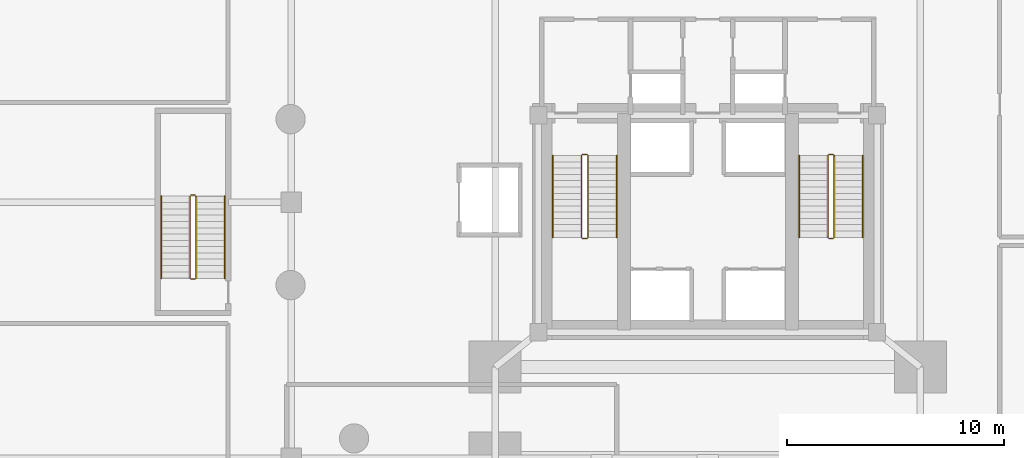
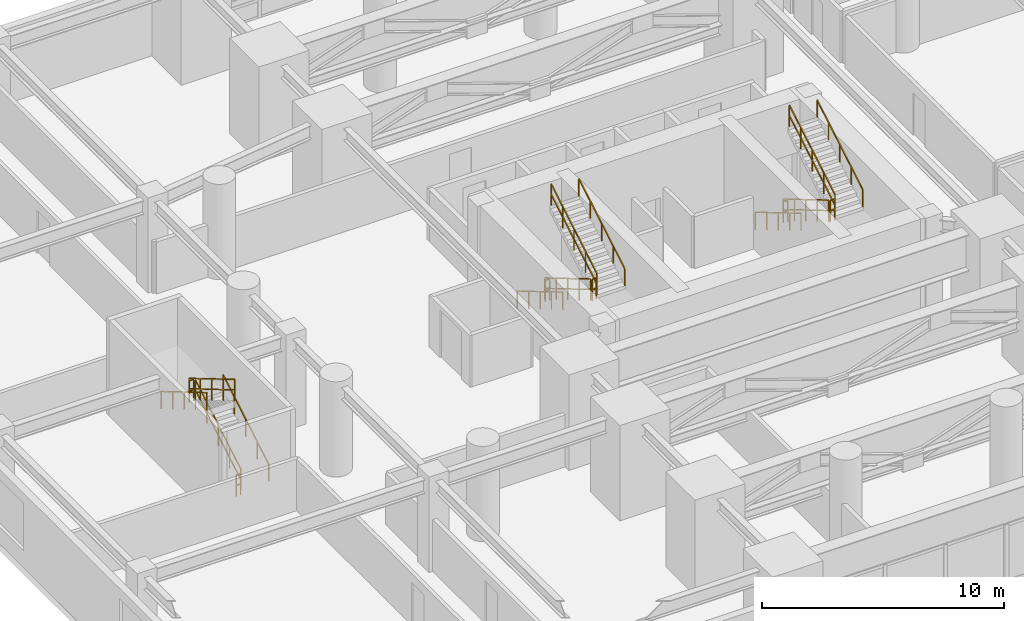
# One storey, part 17 of 17: 18 railings.
"""IFC4 building model written with IfcOpenShell, lengths in metres."""

from ifc_helpers import new_model, si_unit, direction, frame, origin, origin_2d, place, context, subcontext, project, spatial, rectangle, extrude, material, type_object, element, save


model = new_model("IFC4")

# Units and contexts
model_context = context("Model", 3, precision=1e-05, world=origin(), true_north=direction((0.0, 1.0)))
body_context = subcontext(model_context, "Body", "Model", "MODEL_VIEW")
ifc_project = project(units=[si_unit("LENGTHUNIT", "METRE"), si_unit("AREAUNIT", "SQUARE_METRE"), si_unit("VOLUMEUNIT", "CUBIC_METRE"), si_unit("PLANEANGLEUNIT", "RADIAN"), si_unit("MASSUNIT", "GRAM", prefix="KILO"), si_unit("THERMODYNAMICTEMPERATUREUNIT", "KELVIN"), si_unit("POWERUNIT", "WATT")], contexts=[model_context])

# Site, building, storey
site_placement = place(None, origin())
site = spatial("IfcSite", under=ifc_project, at=site_placement, CompositionType="ELEMENT")
building_placement = place(site_placement, origin())
building = spatial("IfcBuilding", under=site, at=building_placement, Name="Ocrelia Relay Tower", CompositionType="ELEMENT")
storey_placement = place(building_placement, frame((0.0, 0.0, 15.60009765625)))
storey = spatial("IfcBuildingStorey", under=building, at=storey_placement, Name="L03", CompositionType="ELEMENT", Elevation=15.60009765625)

# Railings
ifc_material_1 = material(Name="Steel S355 balustrade", Category="steel")
railing_type_1 = type_object("IfcRailingType", Name="RL-STAIR-GUARD", PredefinedType="GUARDRAIL", material=ifc_material_1)
railing_1_placement = place(storey_placement, frame((28.179931640625, 28.14990234375, 0.17138671875)))
element("IfcRailing", 1, at=railing_1_placement, inside=storey, type_object=railing_type_1, Name="L03 ST1 stair guard 1", PredefinedType="GUARDRAIL", context=body_context, shape_type="SweptSolid", body=[
    extrude(rectangle(XDim=0.048095703125, YDim=0.048095703125, at=origin_2d()), frame((0.0, 0.0, 1.076171875), z_axis=(0.0, -0.860848830602, 0.508860777473), x_axis=(1.0, 0.0, 0.0)), (0.0, 0.0, 1.0), 4.37939453125),
    extrude(rectangle(XDim=0.048095703125, YDim=0.048095703125, at=origin_2d()), frame((0.0, 0.0, 0.550048828125), z_axis=(0.0, -0.860848830602, 0.508860777473), x_axis=(1.0, 0.0, 0.0)), (0.0, 0.0, 1.0), 4.37939453125),
    extrude(rectangle(XDim=0.0419921875, YDim=0.0419921875, at=origin_2d()), origin(), (0.0, 0.0, 1.0), 1.052001953125),
    extrude(rectangle(XDim=0.0419921875, YDim=0.0419921875, at=origin_2d()), frame((0.0, -0.9423828125, 0.55712890625)), (0.0, 0.0, 1.0), 1.052001953125),
    extrude(rectangle(XDim=0.0419921875, YDim=0.0419921875, at=origin_2d()), frame((0.0, -1.885009765625, 1.1142578125)), (0.0, 0.0, 1.0), 1.052001953125),
    extrude(rectangle(XDim=0.0419921875, YDim=0.0419921875, at=origin_2d()), frame((0.0, -2.82763671875, 1.67138671875)), (0.0, 0.0, 1.0), 1.052001953125),
    extrude(rectangle(XDim=0.0419921875, YDim=0.0419921875, at=origin_2d()), frame((0.0, -3.77001953125, 2.228515625)), (0.0, 0.0, 1.0), 1.052001953125),
])
railing_2_placement = place(storey_placement, frame((28.22998046875, 24.330078125, 2.39990234375)))
element("IfcRailing", 2, at=railing_2_placement, inside=storey, type_object=railing_type_1, Name="L03 ST1 stair guard 2", PredefinedType="GUARDRAIL", context=body_context, shape_type="SweptSolid", body=[
    extrude(rectangle(XDim=0.048095703125, YDim=0.048095703125, at=origin_2d()), frame((0.0, 0.0, 1.076171875), z_axis=(1.0, 0.0, 0.0), x_axis=(0.0, 1.0, 0.0)), (0.0, 0.0, 1.0), 0.199951171875),
    extrude(rectangle(XDim=0.048095703125, YDim=0.048095703125, at=origin_2d()), frame((0.0, 0.0, 0.550048828125), z_axis=(1.0, 0.0, 0.0), x_axis=(0.0, 1.0, 0.0)), (0.0, 0.0, 1.0), 0.199951171875),
    extrude(rectangle(XDim=0.0419921875, YDim=0.0419921875, at=origin_2d()), origin(), (0.0, 0.0, 1.0), 1.052001953125),
    extrude(rectangle(XDim=0.0419921875, YDim=0.0419921875, at=origin_2d()), frame((0.199951171875, 0.0, 0.0)), (0.0, 0.0, 1.0), 1.052001953125),
])
railing_3_placement = place(storey_placement, frame((28.47998046875, 24.3798828125, 2.5712890625)))
element("IfcRailing", 3, at=railing_3_placement, inside=storey, type_object=railing_type_1, Name="L03 ST1 stair guard 3", PredefinedType="GUARDRAIL", context=body_context, shape_type="SweptSolid", body=[
    extrude(rectangle(XDim=0.048095703125, YDim=0.048095703125, at=origin_2d()), frame((0.0, 0.0, 1.076171875), z_axis=(0.0, 0.860848830602, 0.508860777473), x_axis=(-1.0, 0.0, 0.0)), (0.0, 0.0, 1.0), 4.37939453125),
    extrude(rectangle(XDim=0.048095703125, YDim=0.048095703125, at=origin_2d()), frame((0.0, 0.0, 0.550048828125), z_axis=(0.0, 0.860848830602, 0.508860777473), x_axis=(-1.0, 0.0, 0.0)), (0.0, 0.0, 1.0), 4.37939453125),
    extrude(rectangle(XDim=0.0419921875, YDim=0.0419921875, at=origin_2d()), origin(), (0.0, 0.0, 1.0), 1.052001953125),
    extrude(rectangle(XDim=0.0419921875, YDim=0.0419921875, at=origin_2d()), frame((0.0, 0.9423828125, 0.55712890625)), (0.0, 0.0, 1.0), 1.052001953125),
    extrude(rectangle(XDim=0.0419921875, YDim=0.0419921875, at=origin_2d()), frame((0.0, 1.885009765625, 1.1142578125)), (0.0, 0.0, 1.0), 1.052001953125),
    extrude(rectangle(XDim=0.0419921875, YDim=0.0419921875, at=origin_2d()), frame((0.0, 2.82763671875, 1.67138671875)), (0.0, 0.0, 1.0), 1.052001953125),
    extrude(rectangle(XDim=0.0419921875, YDim=0.0419921875, at=origin_2d()), frame((0.0, 3.77001953125, 2.228515625)), (0.0, 0.0, 1.0), 1.052001953125),
])
railing_4_placement = place(storey_placement, frame((28.22998046875, 28.199951171875, 0.0)))
element("IfcRailing", 4, at=railing_4_placement, inside=storey, type_object=railing_type_1, Name="L03 ST1 stair guard 4", PredefinedType="GUARDRAIL", context=body_context, shape_type="SweptSolid", body=[
    extrude(rectangle(XDim=0.048095703125, YDim=0.048095703125, at=origin_2d()), frame((0.0, 0.0, 1.076171875), z_axis=(1.0, 0.0, 0.0), x_axis=(0.0, 1.0, 0.0)), (0.0, 0.0, 1.0), 0.199951171875),
    extrude(rectangle(XDim=0.048095703125, YDim=0.048095703125, at=origin_2d()), frame((0.0, 0.0, 0.550048828125), z_axis=(1.0, 0.0, 0.0), x_axis=(0.0, 1.0, 0.0)), (0.0, 0.0, 1.0), 0.199951171875),
    extrude(rectangle(XDim=0.0419921875, YDim=0.0419921875, at=origin_2d()), origin(), (0.0, 0.0, 1.0), 1.052001953125),
    extrude(rectangle(XDim=0.0419921875, YDim=0.0419921875, at=origin_2d()), frame((0.199951171875, 0.0, 0.0)), (0.0, 0.0, 1.0), 1.052001953125),
])
railing_5_placement = place(storey_placement, frame((39.530029296875, 28.14990234375, 0.17138671875)))
element("IfcRailing", 5, at=railing_5_placement, inside=storey, type_object=railing_type_1, Name="L03 ST2 stair guard 1", PredefinedType="GUARDRAIL", context=body_context, shape_type="SweptSolid", body=[
    extrude(rectangle(XDim=0.048095703125, YDim=0.048095703125, at=origin_2d()), frame((0.0, 0.0, 1.076171875), z_axis=(0.0, -0.860848830602, 0.508860777473), x_axis=(1.0, 0.0, 0.0)), (0.0, 0.0, 1.0), 4.37939453125),
    extrude(rectangle(XDim=0.048095703125, YDim=0.048095703125, at=origin_2d()), frame((0.0, 0.0, 0.550048828125), z_axis=(0.0, -0.860848830602, 0.508860777473), x_axis=(1.0, 0.0, 0.0)), (0.0, 0.0, 1.0), 4.37939453125),
    extrude(rectangle(XDim=0.0419921875, YDim=0.0419921875, at=origin_2d()), origin(), (0.0, 0.0, 1.0), 1.052001953125),
    extrude(rectangle(XDim=0.0419921875, YDim=0.0419921875, at=origin_2d()), frame((0.0, -0.9423828125, 0.55712890625)), (0.0, 0.0, 1.0), 1.052001953125),
    extrude(rectangle(XDim=0.0419921875, YDim=0.0419921875, at=origin_2d()), frame((0.0, -1.885009765625, 1.1142578125)), (0.0, 0.0, 1.0), 1.052001953125),
    extrude(rectangle(XDim=0.0419921875, YDim=0.0419921875, at=origin_2d()), frame((0.0, -2.82763671875, 1.67138671875)), (0.0, 0.0, 1.0), 1.052001953125),
    extrude(rectangle(XDim=0.0419921875, YDim=0.0419921875, at=origin_2d()), frame((0.0, -3.77001953125, 2.228515625)), (0.0, 0.0, 1.0), 1.052001953125),
])
railing_6_placement = place(storey_placement, frame((39.580078125, 24.330078125, 2.39990234375)))
element("IfcRailing", 6, at=railing_6_placement, inside=storey, type_object=railing_type_1, Name="L03 ST2 stair guard 2", PredefinedType="GUARDRAIL", context=body_context, shape_type="SweptSolid", body=[
    extrude(rectangle(XDim=0.048095703125, YDim=0.048095703125, at=origin_2d()), frame((0.0, 0.0, 1.076171875), z_axis=(1.0, 0.0, 0.0), x_axis=(0.0, 1.0, 0.0)), (0.0, 0.0, 1.0), 0.199951171875),
    extrude(rectangle(XDim=0.048095703125, YDim=0.048095703125, at=origin_2d()), frame((0.0, 0.0, 0.550048828125), z_axis=(1.0, 0.0, 0.0), x_axis=(0.0, 1.0, 0.0)), (0.0, 0.0, 1.0), 0.199951171875),
    extrude(rectangle(XDim=0.0419921875, YDim=0.0419921875, at=origin_2d()), origin(), (0.0, 0.0, 1.0), 1.052001953125),
    extrude(rectangle(XDim=0.0419921875, YDim=0.0419921875, at=origin_2d()), frame((0.199951171875, 0.0, 0.0)), (0.0, 0.0, 1.0), 1.052001953125),
])
railing_7_placement = place(storey_placement, frame((39.830078125, 24.3798828125, 2.5712890625)))
element("IfcRailing", 7, at=railing_7_placement, inside=storey, type_object=railing_type_1, Name="L03 ST2 stair guard 3", PredefinedType="GUARDRAIL", context=body_context, shape_type="SweptSolid", body=[
    extrude(rectangle(XDim=0.048095703125, YDim=0.048095703125, at=origin_2d()), frame((0.0, 0.0, 1.076171875), z_axis=(0.0, 0.860848830602, 0.508860777473), x_axis=(-1.0, 0.0, 0.0)), (0.0, 0.0, 1.0), 4.37939453125),
    extrude(rectangle(XDim=0.048095703125, YDim=0.048095703125, at=origin_2d()), frame((0.0, 0.0, 0.550048828125), z_axis=(0.0, 0.860848830602, 0.508860777473), x_axis=(-1.0, 0.0, 0.0)), (0.0, 0.0, 1.0), 4.37939453125),
    extrude(rectangle(XDim=0.0419921875, YDim=0.0419921875, at=origin_2d()), origin(), (0.0, 0.0, 1.0), 1.052001953125),
    extrude(rectangle(XDim=0.0419921875, YDim=0.0419921875, at=origin_2d()), frame((0.0, 0.9423828125, 0.55712890625)), (0.0, 0.0, 1.0), 1.052001953125),
    extrude(rectangle(XDim=0.0419921875, YDim=0.0419921875, at=origin_2d()), frame((0.0, 1.885009765625, 1.1142578125)), (0.0, 0.0, 1.0), 1.052001953125),
    extrude(rectangle(XDim=0.0419921875, YDim=0.0419921875, at=origin_2d()), frame((0.0, 2.82763671875, 1.67138671875)), (0.0, 0.0, 1.0), 1.052001953125),
    extrude(rectangle(XDim=0.0419921875, YDim=0.0419921875, at=origin_2d()), frame((0.0, 3.77001953125, 2.228515625)), (0.0, 0.0, 1.0), 1.052001953125),
])
railing_8_placement = place(storey_placement, frame((39.580078125, 28.199951171875, 0.0)))
element("IfcRailing", 8, at=railing_8_placement, inside=storey, type_object=railing_type_1, Name="L03 ST2 stair guard 4", PredefinedType="GUARDRAIL", context=body_context, shape_type="SweptSolid", body=[
    extrude(rectangle(XDim=0.048095703125, YDim=0.048095703125, at=origin_2d()), frame((0.0, 0.0, 1.076171875), z_axis=(1.0, 0.0, 0.0), x_axis=(0.0, 1.0, 0.0)), (0.0, 0.0, 1.0), 0.199951171875),
    extrude(rectangle(XDim=0.048095703125, YDim=0.048095703125, at=origin_2d()), frame((0.0, 0.0, 0.550048828125), z_axis=(1.0, 0.0, 0.0), x_axis=(0.0, 1.0, 0.0)), (0.0, 0.0, 1.0), 0.199951171875),
    extrude(rectangle(XDim=0.0419921875, YDim=0.0419921875, at=origin_2d()), origin(), (0.0, 0.0, 1.0), 1.052001953125),
    extrude(rectangle(XDim=0.0419921875, YDim=0.0419921875, at=origin_2d()), frame((0.199951171875, 0.0, 0.0)), (0.0, 0.0, 1.0), 1.052001953125),
])
railing_9_placement = place(storey_placement, frame((10.429931640625, 22.5, 0.17138671875)))
element("IfcRailing", 9, at=railing_9_placement, inside=storey, type_object=railing_type_1, Name="L03 ST3 stair guard 1", PredefinedType="GUARDRAIL", context=body_context, shape_type="SweptSolid", body=[
    extrude(rectangle(XDim=0.048095703125, YDim=0.048095703125, at=origin_2d()), frame((0.0, 0.0, 1.076171875), z_axis=(0.0, 0.860848830602, 0.508860777473), x_axis=(-1.0, 0.0, 0.0)), (0.0, 0.0, 1.0), 4.37939453125),
    extrude(rectangle(XDim=0.048095703125, YDim=0.048095703125, at=origin_2d()), frame((0.0, 0.0, 0.550048828125), z_axis=(0.0, 0.860848830602, 0.508860777473), x_axis=(-1.0, 0.0, 0.0)), (0.0, 0.0, 1.0), 4.37939453125),
    extrude(rectangle(XDim=0.0419921875, YDim=0.0419921875, at=origin_2d()), origin(), (0.0, 0.0, 1.0), 1.052001953125),
    extrude(rectangle(XDim=0.0419921875, YDim=0.0419921875, at=origin_2d()), frame((0.0, 0.9423828125, 0.55712890625)), (0.0, 0.0, 1.0), 1.052001953125),
    extrude(rectangle(XDim=0.0419921875, YDim=0.0419921875, at=origin_2d()), frame((0.0, 1.885009765625, 1.1142578125)), (0.0, 0.0, 1.0), 1.052001953125),
    extrude(rectangle(XDim=0.0419921875, YDim=0.0419921875, at=origin_2d()), frame((0.0, 2.82763671875, 1.67138671875)), (0.0, 0.0, 1.0), 1.052001953125),
    extrude(rectangle(XDim=0.0419921875, YDim=0.0419921875, at=origin_2d()), frame((0.0, 3.77001953125, 2.228515625)), (0.0, 0.0, 1.0), 1.052001953125),
])
railing_10_placement = place(storey_placement, frame((10.3798828125, 26.320068359375, 2.39990234375)))
element("IfcRailing", 10, at=railing_10_placement, inside=storey, type_object=railing_type_1, Name="L03 ST3 stair guard 2", PredefinedType="GUARDRAIL", context=body_context, shape_type="SweptSolid", body=[
    extrude(rectangle(XDim=0.048095703125, YDim=0.048095703125, at=origin_2d()), frame((0.0, 0.0, 1.076171875), z_axis=(-1.0, 0.0, 0.0), x_axis=(0.0, -1.0, 0.0)), (0.0, 0.0, 1.0), 0.199951171875),
    extrude(rectangle(XDim=0.048095703125, YDim=0.048095703125, at=origin_2d()), frame((0.0, 0.0, 0.550048828125), z_axis=(-1.0, 0.0, 0.0), x_axis=(0.0, -1.0, 0.0)), (0.0, 0.0, 1.0), 0.199951171875),
    extrude(rectangle(XDim=0.0419921875, YDim=0.0419921875, at=origin_2d()), origin(), (0.0, 0.0, 1.0), 1.052001953125),
    extrude(rectangle(XDim=0.0419921875, YDim=0.0419921875, at=origin_2d()), frame((-0.199951171875, 0.0, 0.0)), (0.0, 0.0, 1.0), 1.052001953125),
])
railing_11_placement = place(storey_placement, frame((10.1298828125, 26.27001953125, 2.5712890625)))
element("IfcRailing", 11, at=railing_11_placement, inside=storey, type_object=railing_type_1, Name="L03 ST3 stair guard 3", PredefinedType="GUARDRAIL", context=body_context, shape_type="SweptSolid", body=[
    extrude(rectangle(XDim=0.048095703125, YDim=0.048095703125, at=origin_2d()), frame((0.0, 0.0, 1.076171875), z_axis=(0.0, -0.860848830602, 0.508860777473), x_axis=(1.0, 0.0, 0.0)), (0.0, 0.0, 1.0), 4.37939453125),
    extrude(rectangle(XDim=0.048095703125, YDim=0.048095703125, at=origin_2d()), frame((0.0, 0.0, 0.550048828125), z_axis=(0.0, -0.860848830602, 0.508860777473), x_axis=(1.0, 0.0, 0.0)), (0.0, 0.0, 1.0), 4.37939453125),
    extrude(rectangle(XDim=0.0419921875, YDim=0.0419921875, at=origin_2d()), origin(), (0.0, 0.0, 1.0), 1.052001953125),
    extrude(rectangle(XDim=0.0419921875, YDim=0.0419921875, at=origin_2d()), frame((0.0, -0.9423828125, 0.55712890625)), (0.0, 0.0, 1.0), 1.052001953125),
    extrude(rectangle(XDim=0.0419921875, YDim=0.0419921875, at=origin_2d()), frame((0.0, -1.885009765625, 1.1142578125)), (0.0, 0.0, 1.0), 1.052001953125),
    extrude(rectangle(XDim=0.0419921875, YDim=0.0419921875, at=origin_2d()), frame((0.0, -2.82763671875, 1.67138671875)), (0.0, 0.0, 1.0), 1.052001953125),
    extrude(rectangle(XDim=0.0419921875, YDim=0.0419921875, at=origin_2d()), frame((0.0, -3.77001953125, 2.228515625)), (0.0, 0.0, 1.0), 1.052001953125),
])
railing_12_placement = place(storey_placement, frame((10.3798828125, 22.449951171875, 0.0)))
element("IfcRailing", 12, at=railing_12_placement, inside=storey, type_object=railing_type_1, Name="L03 ST3 stair guard 4", PredefinedType="GUARDRAIL", context=body_context, shape_type="SweptSolid", body=[
    extrude(rectangle(XDim=0.048095703125, YDim=0.048095703125, at=origin_2d()), frame((0.0, 0.0, 1.076171875), z_axis=(-1.0, 0.0, 0.0), x_axis=(0.0, -1.0, 0.0)), (0.0, 0.0, 1.0), 0.199951171875),
    extrude(rectangle(XDim=0.048095703125, YDim=0.048095703125, at=origin_2d()), frame((0.0, 0.0, 0.550048828125), z_axis=(-1.0, 0.0, 0.0), x_axis=(0.0, -1.0, 0.0)), (0.0, 0.0, 1.0), 0.199951171875),
    extrude(rectangle(XDim=0.0419921875, YDim=0.0419921875, at=origin_2d()), origin(), (0.0, 0.0, 1.0), 1.052001953125),
    extrude(rectangle(XDim=0.0419921875, YDim=0.0419921875, at=origin_2d()), frame((-0.199951171875, 0.0, 0.0)), (0.0, 0.0, 1.0), 1.052001953125),
])
ifc_material_2 = material(Name="Steel S355 tubular handrail", Category="steel")
railing_type_2 = type_object("IfcRailingType", Name="RL-STAIR-HAND", PredefinedType="HANDRAIL", material=ifc_material_2)
railing_13_placement = place(storey_placement, frame((26.860107421875, 28.14990234375, 0.17138671875)))
element("IfcRailing", 13, at=railing_13_placement, inside=storey, type_object=railing_type_2, Name="L03 ST1 stair handrail 1", PredefinedType="HANDRAIL", context=body_context, shape_type="SweptSolid", body=[
    extrude(rectangle(XDim=0.048095703125, YDim=0.048095703125, at=origin_2d()), frame((0.0, 0.0, 0.8759765625), z_axis=(0.0, -0.860848830602, 0.508860777473), x_axis=(1.0, 0.0, 0.0)), (0.0, 0.0, 1.0), 4.37939453125),
    extrude(rectangle(XDim=0.0419921875, YDim=0.0419921875, at=origin_2d()), origin(), (0.0, 0.0, 1.0), 0.851806640625),
    extrude(rectangle(XDim=0.0419921875, YDim=0.0419921875, at=origin_2d()), frame((0.0, -0.9423828125, 0.55712890625)), (0.0, 0.0, 1.0), 0.851806640625),
    extrude(rectangle(XDim=0.0419921875, YDim=0.0419921875, at=origin_2d()), frame((0.0, -1.885009765625, 1.1142578125)), (0.0, 0.0, 1.0), 0.851806640625),
    extrude(rectangle(XDim=0.0419921875, YDim=0.0419921875, at=origin_2d()), frame((0.0, -2.82763671875, 1.67138671875)), (0.0, 0.0, 1.0), 0.851806640625),
    extrude(rectangle(XDim=0.0419921875, YDim=0.0419921875, at=origin_2d()), frame((0.0, -3.77001953125, 2.228515625)), (0.0, 0.0, 1.0), 0.851806640625),
])
railing_14_placement = place(storey_placement, frame((29.800048828125, 24.3798828125, 2.5712890625)))
element("IfcRailing", 14, at=railing_14_placement, inside=storey, type_object=railing_type_2, Name="L03 ST1 stair handrail 2", PredefinedType="HANDRAIL", context=body_context, shape_type="SweptSolid", body=[
    extrude(rectangle(XDim=0.048095703125, YDim=0.048095703125, at=origin_2d()), frame((0.0, 0.0, 0.8759765625), z_axis=(0.0, 0.860848830602, 0.508860777473), x_axis=(-1.0, 0.0, 0.0)), (0.0, 0.0, 1.0), 4.37939453125),
    extrude(rectangle(XDim=0.0419921875, YDim=0.0419921875, at=origin_2d()), origin(), (0.0, 0.0, 1.0), 0.851806640625),
    extrude(rectangle(XDim=0.0419921875, YDim=0.0419921875, at=origin_2d()), frame((0.0, 0.9423828125, 0.55712890625)), (0.0, 0.0, 1.0), 0.851806640625),
    extrude(rectangle(XDim=0.0419921875, YDim=0.0419921875, at=origin_2d()), frame((0.0, 1.885009765625, 1.1142578125)), (0.0, 0.0, 1.0), 0.851806640625),
    extrude(rectangle(XDim=0.0419921875, YDim=0.0419921875, at=origin_2d()), frame((0.0, 2.82763671875, 1.67138671875)), (0.0, 0.0, 1.0), 0.851806640625),
    extrude(rectangle(XDim=0.0419921875, YDim=0.0419921875, at=origin_2d()), frame((0.0, 3.77001953125, 2.228515625)), (0.0, 0.0, 1.0), 0.851806640625),
])
railing_15_placement = place(storey_placement, frame((38.2099609375, 28.14990234375, 0.17138671875)))
element("IfcRailing", 15, at=railing_15_placement, inside=storey, type_object=railing_type_2, Name="L03 ST2 stair handrail 1", PredefinedType="HANDRAIL", context=body_context, shape_type="SweptSolid", body=[
    extrude(rectangle(XDim=0.048095703125, YDim=0.048095703125, at=origin_2d()), frame((0.0, 0.0, 0.8759765625), z_axis=(0.0, -0.860848830602, 0.508860777473), x_axis=(1.0, 0.0, 0.0)), (0.0, 0.0, 1.0), 4.37939453125),
    extrude(rectangle(XDim=0.0419921875, YDim=0.0419921875, at=origin_2d()), origin(), (0.0, 0.0, 1.0), 0.851806640625),
    extrude(rectangle(XDim=0.0419921875, YDim=0.0419921875, at=origin_2d()), frame((0.0, -0.9423828125, 0.55712890625)), (0.0, 0.0, 1.0), 0.851806640625),
    extrude(rectangle(XDim=0.0419921875, YDim=0.0419921875, at=origin_2d()), frame((0.0, -1.885009765625, 1.1142578125)), (0.0, 0.0, 1.0), 0.851806640625),
    extrude(rectangle(XDim=0.0419921875, YDim=0.0419921875, at=origin_2d()), frame((0.0, -2.82763671875, 1.67138671875)), (0.0, 0.0, 1.0), 0.851806640625),
    extrude(rectangle(XDim=0.0419921875, YDim=0.0419921875, at=origin_2d()), frame((0.0, -3.77001953125, 2.228515625)), (0.0, 0.0, 1.0), 0.851806640625),
])
for number, where, name in (
    (16, (41.14990234375, 24.3798828125, 2.5712890625), "L03 ST2 stair handrail 2"),
    (17, (11.75, 22.5, 0.17138671875), "L03 ST3 stair handrail 1"),
):
    element("IfcRailing", number, at=place(storey_placement, frame(where)), inside=storey, type_object=railing_type_2, Name=name, PredefinedType="HANDRAIL", context=body_context, shape_type="SweptSolid", body=[
        extrude(rectangle(XDim=0.048095703125, YDim=0.048095703125, at=origin_2d()), frame((0.0, 0.0, 0.8759765625), z_axis=(0.0, 0.860848830602, 0.508860777473), x_axis=(-1.0, 0.0, 0.0)), (0.0, 0.0, 1.0), 4.37939453125),
        extrude(rectangle(XDim=0.0419921875, YDim=0.0419921875, at=origin_2d()), origin(), (0.0, 0.0, 1.0), 0.851806640625),
        extrude(rectangle(XDim=0.0419921875, YDim=0.0419921875, at=origin_2d()), frame((0.0, 0.9423828125, 0.55712890625)), (0.0, 0.0, 1.0), 0.851806640625),
        extrude(rectangle(XDim=0.0419921875, YDim=0.0419921875, at=origin_2d()), frame((0.0, 1.885009765625, 1.1142578125)), (0.0, 0.0, 1.0), 0.851806640625),
        extrude(rectangle(XDim=0.0419921875, YDim=0.0419921875, at=origin_2d()), frame((0.0, 2.82763671875, 1.67138671875)), (0.0, 0.0, 1.0), 0.851806640625),
        extrude(rectangle(XDim=0.0419921875, YDim=0.0419921875, at=origin_2d()), frame((0.0, 3.77001953125, 2.228515625)), (0.0, 0.0, 1.0), 0.851806640625),
    ])
railing_16_placement = place(storey_placement, frame((8.81005859375, 26.27001953125, 2.5712890625)))
element("IfcRailing", 18, at=railing_16_placement, inside=storey, type_object=railing_type_2, Name="L03 ST3 stair handrail 2", PredefinedType="HANDRAIL", context=body_context, shape_type="SweptSolid", body=[
    extrude(rectangle(XDim=0.048095703125, YDim=0.048095703125, at=origin_2d()), frame((0.0, 0.0, 0.8759765625), z_axis=(0.0, -0.860848830602, 0.508860777473), x_axis=(1.0, 0.0, 0.0)), (0.0, 0.0, 1.0), 4.37939453125),
    extrude(rectangle(XDim=0.0419921875, YDim=0.0419921875, at=origin_2d()), origin(), (0.0, 0.0, 1.0), 0.851806640625),
    extrude(rectangle(XDim=0.0419921875, YDim=0.0419921875, at=origin_2d()), frame((0.0, -0.9423828125, 0.55712890625)), (0.0, 0.0, 1.0), 0.851806640625),
    extrude(rectangle(XDim=0.0419921875, YDim=0.0419921875, at=origin_2d()), frame((0.0, -1.885009765625, 1.1142578125)), (0.0, 0.0, 1.0), 0.851806640625),
    extrude(rectangle(XDim=0.0419921875, YDim=0.0419921875, at=origin_2d()), frame((0.0, -2.82763671875, 1.67138671875)), (0.0, 0.0, 1.0), 0.851806640625),
    extrude(rectangle(XDim=0.0419921875, YDim=0.0419921875, at=origin_2d()), frame((0.0, -3.77001953125, 2.228515625)), (0.0, 0.0, 1.0), 0.851806640625),
])

save(model, "model.ifc")
